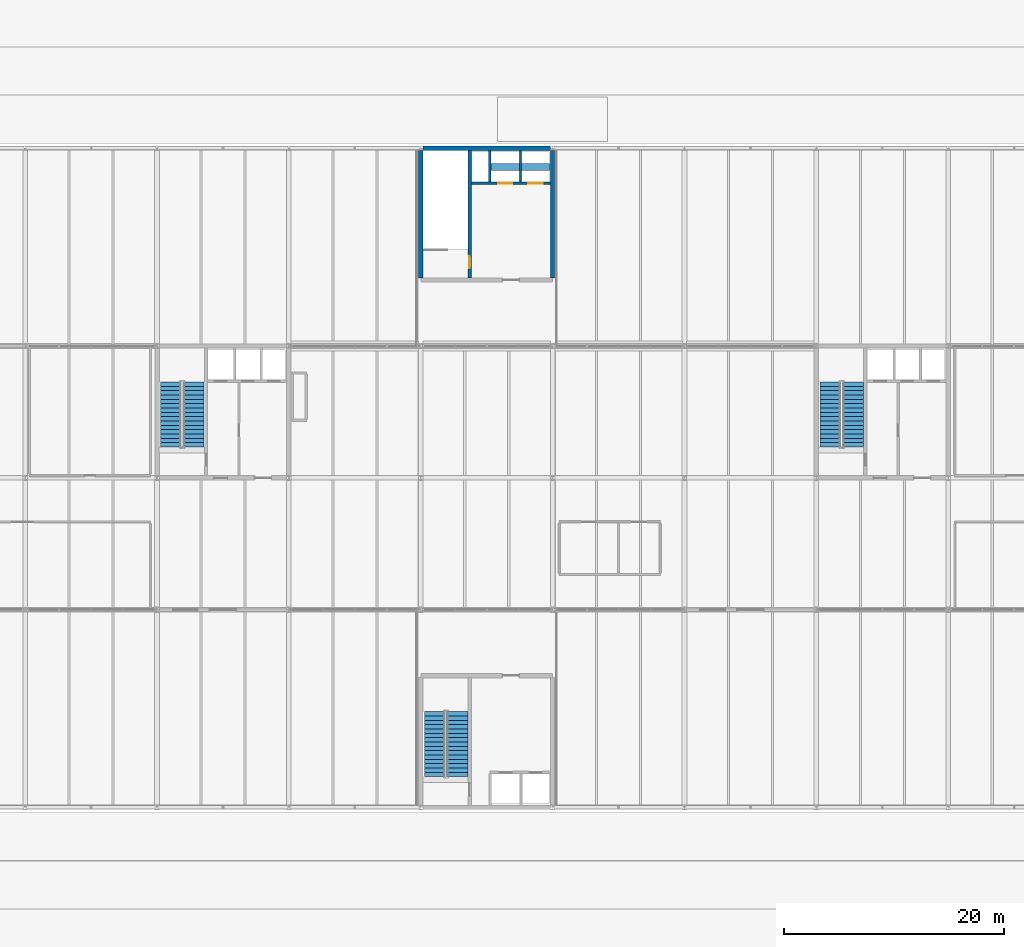
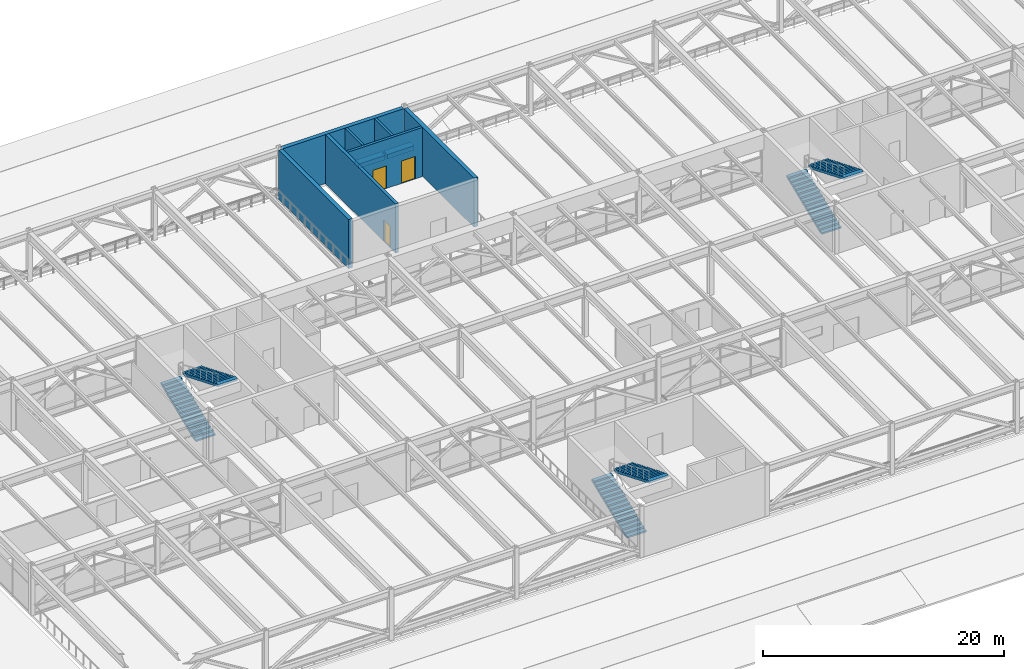
# One storey, part 37 of 42: 7 walls, 6 stair flights, 3 doors, 2 discrete accessories, 3 openings, 3 elements without a shape of their own.
"""IFC4 building model written with IfcOpenShell, lengths in metres."""

from ifc_helpers import new_model, si_unit, direction, frame, frame_2d, origin, origin_2d, place, context, subcontext, project, spatial, polyline, rectangle, outline, extrude, material, layer, layer_set, type_object, element, fill, aggregate, save


model = new_model("IFC4")

# Units and contexts
model_context = context("Model", 3, precision=1e-05, world=origin(), true_north=direction((0.0, 1.0)))
body_context = subcontext(model_context, "Body", "Model", "MODEL_VIEW")
ifc_project = project(units=[si_unit("LENGTHUNIT", "METRE"), si_unit("AREAUNIT", "SQUARE_METRE"), si_unit("VOLUMEUNIT", "CUBIC_METRE"), si_unit("PLANEANGLEUNIT", "RADIAN"), si_unit("MASSUNIT", "GRAM", prefix="KILO")], contexts=[model_context])

# Site, building, storey
site_placement = place(None, origin())
site = spatial("IfcSite", under=ifc_project, at=site_placement, CompositionType="ELEMENT")
building_placement = place(site_placement, origin())
building = spatial("IfcBuilding", under=site, at=building_placement, Name="Girod Span Mobility Hub", CompositionType="ELEMENT")
storey_placement = place(building_placement, frame((0.0, 0.0, 32.39990234375)))
storey = spatial("IfcBuildingStorey", under=building, at=storey_placement, Name="L08", CompositionType="ELEMENT", Elevation=32.39990234375)

# Walls
ifc_material_1 = material(Name="Concrete C40/50", Category="concrete")
ifc_layer_1 = layer(ifc_material_1, 0.3798828125)
ifc_layer_set_1 = layer_set([ifc_layer_1], Name="Concrete C40/50")
wall_type_1 = type_object("IfcWallType", Name="W-CW-380", PredefinedType="SHEAR", material=ifc_layer_set_1)
wall_1_placement = place(storey_placement, frame((72.196533203125, 87.0, 0.0), z_axis=(0.0, 0.0, 1.0), x_axis=(1.0, 0.0, 0.0)))
element("IfcWall", 1, at=wall_1_placement, inside=storey, type_object=wall_type_1, Name="Core C4 Shear Wall N L08", PredefinedType="SHEAR", context=body_context, shape_type="SweptSolid", body=[
    extrude(rectangle(XDim=11.60693359375, YDim=0.3798828125, at=frame_2d((5.803466796875, 0.0))), origin(), (0.0, 0.0, 1.0), 4.97314453125),
])
for number, where, z_axis, x_axis, name in (
    (2, (72.0, 75.18701171875, 0.0), (0.0, 0.0, 1.0), (0.0, 1.0, 0.0), "Core C4 Shear Wall W L08"),
    (3, (84.0, 75.18701171875, 0.0), (0.0, 0.0, 1.0), (0.0, 1.0, 0.0), "Core C4 Shear Wall E L08"),
):
    element("IfcWall", number, at=place(storey_placement, frame(where, z_axis=z_axis, x_axis=x_axis)), inside=storey, type_object=wall_type_1, Name=name, PredefinedType="SHEAR", context=body_context, shape_type="SweptSolid", body=[
        extrude(rectangle(XDim=11.619384765625, YDim=0.3798828125, at=frame_2d((5.8095703125, 0.0))), origin(), (0.0, 0.0, 1.0), 4.97314453125),
    ])
ifc_material_2 = material(Name="Concrete C40/50", Category="concrete")
ifc_layer_2 = layer(ifc_material_2, 0.199951171875)
ifc_layer_set_2 = layer_set([ifc_layer_2], Name="Concrete C40/50")
wall_type_2 = type_object("IfcWallType", Name="W-SH-200", PredefinedType="SOLIDWALL", material=ifc_layer_set_2)
for number, where, z_axis, x_axis, name in (
    (4, (78.280029296875, 83.919921875, 0.0), (0.0, 0.0, 1.0), (0.0, 1.0, 0.0), "Core C4 Shaft Divider 1 L08"),
    (5, (81.080078125, 83.919921875, 0.0), (0.0, 0.0, 1.0), (0.0, 1.0, 0.0), "Core C4 Shaft Divider 2 L08"),
):
    element("IfcWall", number, at=place(storey_placement, frame(where, z_axis=z_axis, x_axis=x_axis)), inside=storey, type_object=wall_type_2, Name=name, PredefinedType="SOLIDWALL", context=body_context, shape_type="SweptSolid", body=[
        extrude(rectangle(XDim=2.89013671875, YDim=0.199951171875, at=frame_2d((1.445068359375, 0.0))), origin(), (0.0, 0.0, 1.0), 4.963134765625),
    ])

# Wall, openings, doors
ifc_material_3 = material(Name="Concrete C40/50", Category="concrete")
ifc_layer_3 = layer(ifc_material_3, 0.25)
ifc_layer_set_3 = layer_set([ifc_layer_3], Name="Concrete C40/50")
wall_type_3 = type_object("IfcWallType", Name="W-SH-250", PredefinedType="SOLIDWALL", material=ifc_layer_set_3)
wall_2_placement = place(storey_placement, frame((76.596923828125, 83.800048828125, 0.0), z_axis=(0.0, 0.0, 1.0), x_axis=(1.0, 0.0, 0.0)))
wall_2 = element("IfcWall", 6, at=wall_2_placement, inside=storey, type_object=wall_type_3, Name="Core C4 Hoistway Front Wall L08", PredefinedType="SOLIDWALL", context=body_context, shape_type="SweptSolid", body=[
    extrude(rectangle(XDim=7.216064453125, YDim=0.25, at=frame_2d((3.60791015625, 0.0))), origin(), (0.0, 0.0, 1.0), 4.97314453125),
])
opening_1_placement = place(wall_2_placement, frame((2.43310546875, 0.0, 0.0)))
opening_1 = element("IfcOpeningElement", 7, at=opening_1_placement, cuts=wall_2, Name="Opening LD-LB-1-L08", PredefinedType="OPENING", context=body_context, shape_type="SweptSolid", body=[
    extrude(rectangle(XDim=1.300048828125, YDim=2.280029296875, at=frame_2d((0.64990234375, 1.14013671875))), frame((0.0, 0.139892578125, 0.0), z_axis=(0.0, -1.0, 0.0), x_axis=(1.0, 0.0, 0.0)), (0.0, 0.0, 1.0), 0.280029296875),
])
opening_2_placement = place(wall_2_placement, frame((5.202880859375, 0.0, 0.0)))
opening_2 = element("IfcOpeningElement", 8, at=opening_2_placement, cuts=wall_2, Name="Opening LD-LB-2-L08", PredefinedType="OPENING", context=body_context, shape_type="SweptSolid", body=[
    extrude(rectangle(XDim=1.300048828125, YDim=2.280029296875, at=frame_2d((0.64990234375, 1.14013671875))), frame((0.0, 0.139892578125, 0.0), z_axis=(0.0, -1.0, 0.0), x_axis=(1.0, 0.0, 0.0)), (0.0, 0.0, 1.0), 0.280029296875),
])
ifc_material_4 = material(Name="Brushed Stainless Steel Grade 304", Category="steel")
door_type_1 = type_object("IfcDoorType", Name="LD-LB-130", OperationType="SLIDING_TO_LEFT", PredefinedType="USERDEFINED", material=ifc_material_4)
door_1_placement = place(opening_1_placement, origin())
door_1 = element("IfcDoor", 9, at=door_1_placement, inside=storey, type_object=door_type_1, Name="Lift LB-1 Sliding Landing Door L08", ObjectType="LANDING DOOR", OperationType="SLIDING_TO_LEFT", OverallHeight=2.280029296875, OverallWidth=1.300048828125, PredefinedType="USERDEFINED", context=body_context, shape_type="SweptSolid", body=[
    extrude(rectangle(XDim=1.300048828125, YDim=2.280029296875, at=frame_2d((0.64990234375, 1.14013671875))), frame((0.0, 0.02490234375, 0.0), z_axis=(0.0, -1.0, 0.0), x_axis=(1.0, 0.0, 0.0)), (0.0, 0.0, 1.0), 0.050048828125),
])
fill(opening_1, door_1)
door_2_placement = place(opening_2_placement, origin())
door_2 = element("IfcDoor", 10, at=door_2_placement, inside=storey, type_object=door_type_1, Name="Lift LB-2 Sliding Landing Door L08", ObjectType="LANDING DOOR", OperationType="SLIDING_TO_LEFT", OverallHeight=2.280029296875, OverallWidth=1.300048828125, PredefinedType="USERDEFINED", context=body_context, shape_type="SweptSolid", body=[
    extrude(rectangle(XDim=1.300048828125, YDim=2.280029296875, at=frame_2d((0.64990234375, 1.14013671875))), frame((0.0, 0.02490234375, 0.0), z_axis=(0.0, -1.0, 0.0), x_axis=(1.0, 0.0, 0.0)), (0.0, 0.0, 1.0), 0.050048828125),
])
fill(opening_2, door_2)

# Wall, opening, door
ifc_material_5 = material(Name="Concrete C40/50", Category="concrete")
ifc_layer_4 = layer(ifc_material_5, 0.300048828125)
ifc_layer_set_4 = layer_set([ifc_layer_4], Name="Concrete C40/50")
wall_type_4 = type_object("IfcWallType", Name="W-SH-300", PredefinedType="SHEAR", material=ifc_layer_set_4)
wall_3_placement = place(storey_placement, frame((76.449951171875, 75.18701171875, 0.0), z_axis=(0.0, 0.0, 1.0), x_axis=(0.0, 1.0, 0.0)))
wall_3 = element("IfcWall", 11, at=wall_3_placement, inside=storey, type_object=wall_type_4, Name="Core C4 Stairwell Spine Wall L08", PredefinedType="SHEAR", context=body_context, shape_type="SweptSolid", body=[
    extrude(rectangle(XDim=11.6259765625, YDim=0.300048828125, at=frame_2d((5.81298828125, 0.0))), origin(), (0.0, 0.0, 1.0), 4.97314453125),
])
opening_3_placement = place(wall_3_placement, frame((0.89990234375, 0.0, 0.0)))
opening_3 = element("IfcOpeningElement", 12, at=opening_3_placement, cuts=wall_3, Name="Opening D-ST-4-L08", PredefinedType="OPENING", context=body_context, shape_type="SweptSolid", body=[
    extrude(rectangle(XDim=1.10009765625, YDim=2.199951171875, at=frame_2d((0.550048828125, 1.10009765625))), frame((0.0, 0.1650390625, 0.0), z_axis=(0.0, -1.0, 0.0), x_axis=(1.0, 0.0, 0.0)), (0.0, 0.0, 1.0), 0.330078125),
])
ifc_material_6 = material(Name="Fire-Rated Insulated Hollow Metal Steel", Category="steel")
door_type_2 = type_object("IfcDoorType", Name="DT-FD-01", OperationType="NOTDEFINED", PredefinedType="DOOR", material=ifc_material_6)
door_3_placement = place(opening_3_placement, origin())
door_3 = element("IfcDoor", 13, at=door_3_placement, inside=storey, type_object=door_type_2, Name="Stair ST-4 Fire Door L08", OperationType="SINGLE_SWING_LEFT", OverallHeight=2.199951171875, OverallWidth=1.10009765625, PredefinedType="DOOR", context=body_context, shape_type="SweptSolid", body=[
    extrude(rectangle(XDim=1.10009765625, YDim=2.199951171875, at=frame_2d((0.550048828125, 1.10009765625))), frame((0.0, 0.02490234375, 0.0), z_axis=(0.0, -1.0, 0.0), x_axis=(1.0, 0.0, 0.0)), (0.0, 0.0, 1.0), 0.050048828125),
])
fill(opening_3, door_3)

# Stair, stair flights
ifc_material_7 = material(Name="Concrete C40/50", Category="concrete")
stair_type = type_object("IfcStairType", Name="STR-5200-W1860", PredefinedType="HALF_TURN_STAIR", material=ifc_material_7)
stair_1_placement = place(storey_placement, origin())
stair_1 = element("IfcStair", 14, at=stair_1_placement, inside=storey, type_object=stair_type, Name="Exit Stair ST-1 L08", PredefinedType="HALF_TURN_STAIR")
ifc_material_8 = material(Name="Concrete C40/50", Category="concrete")
stair_flight_type = type_object("IfcStairFlightType", Name="STF-2600-W1860", PredefinedType="STRAIGHT", material=ifc_material_8)
stair_flight_1_placement = place(storey_placement, frame((49.25, 59.81005859375, 0.0), z_axis=(0.0, 0.0, 1.0), x_axis=(0.0, 1.0, 0.0)))
stair_flight_1 = element("IfcStairFlight", 15, at=stair_flight_1_placement, type_object=stair_flight_type, Name="Stair ST-1 Flight 1 L08", NumberOfRisers=16, NumberOfTreads=15, PredefinedType="STRAIGHT", RiserHeight=0.1625, TreadLength=0.39467, context=body_context, shape_type="SweptSolid", body=[
    extrude(outline(polyline([(0.0, 0.0), (0.0, 0.16259765625), (0.394775390625, 0.16259765625), (0.394775390625, 0.324951171875), (0.789306640625, 0.324951171875), (0.789306640625, 0.487548828125), (1.18408203125, 0.487548828125), (1.18408203125, 0.64990234375), (1.57861328125, 0.64990234375), (1.57861328125, 0.8125), (1.973388671875, 0.8125), (1.973388671875, 0.97509765625), (2.367919921875, 0.97509765625), (2.367919921875, 1.137451171875), (2.7626953125, 1.137451171875), (2.7626953125, 1.300048828125), (3.157470703125, 1.300048828125), (3.157470703125, 1.46240234375), (3.552001953125, 1.46240234375), (3.552001953125, 1.625), (3.94677734375, 1.625), (3.94677734375, 1.78759765625), (4.34130859375, 1.78759765625), (4.34130859375, 1.949951171875), (4.736083984375, 1.949951171875), (4.736083984375, 2.112548828125), (5.130615234375, 2.112548828125), (5.130615234375, 2.27490234375), (5.525390625, 2.27490234375), (5.525390625, 2.4375), (5.920166015625, 2.4375), (5.920166015625, 2.60009765625), (5.920166015625, 2.232177734375), (0.498779296875, 0.0), (0.0, 0.0)])), frame((0.0, 0.93017578125, 0.0), z_axis=(0.0, -1.0, 0.0), x_axis=(1.0, 0.0, 0.0)), (0.0, 0.0, 1.0), 1.860107421875),
])
stair_flight_2_placement = place(storey_placement, frame((51.35009765625, 65.72998046875, 2.60009765625), z_axis=(0.0, 0.0, 1.0), x_axis=(0.0, -1.0, 0.0)))
stair_flight_2 = element("IfcStairFlight", 16, at=stair_flight_2_placement, type_object=stair_flight_type, Name="Stair ST-1 Flight 2 L08", NumberOfRisers=16, NumberOfTreads=15, PredefinedType="STRAIGHT", RiserHeight=0.1625, TreadLength=0.39467, context=body_context, shape_type="SweptSolid", body=[
    extrude(outline(polyline([(0.0, 0.0), (0.0, 0.16259765625), (0.394775390625, 0.16259765625), (0.394775390625, 0.324951171875), (0.789306640625, 0.324951171875), (0.789306640625, 0.487548828125), (1.18408203125, 0.487548828125), (1.18408203125, 0.64990234375), (1.57861328125, 0.64990234375), (1.57861328125, 0.8125), (1.973388671875, 0.8125), (1.973388671875, 0.97509765625), (2.367919921875, 0.97509765625), (2.367919921875, 1.137451171875), (2.7626953125, 1.137451171875), (2.7626953125, 1.300048828125), (3.157470703125, 1.300048828125), (3.157470703125, 1.46240234375), (3.552001953125, 1.46240234375), (3.552001953125, 1.625), (3.94677734375, 1.625), (3.94677734375, 1.78759765625), (4.34130859375, 1.78759765625), (4.34130859375, 1.949951171875), (4.736083984375, 1.949951171875), (4.736083984375, 2.112548828125), (5.130615234375, 2.112548828125), (5.130615234375, 2.27490234375), (5.525390625, 2.27490234375), (5.525390625, 2.4375), (5.920166015625, 2.4375), (5.920166015625, 2.60009765625), (5.920166015625, 2.232177734375), (0.498779296875, 0.0), (0.0, 0.0)])), frame((0.0, 0.93017578125, 0.0), z_axis=(0.0, -1.0, 0.0), x_axis=(1.0, 0.0, 0.0)), (0.0, 0.0, 1.0), 1.860107421875),
])
aggregate(stair_1, [stair_flight_1, stair_flight_2])

stair_2_placement = place(storey_placement, origin())
stair_2 = element("IfcStair", 17, at=stair_2_placement, inside=storey, type_object=stair_type, Name="Exit Stair ST-2 L08", PredefinedType="HALF_TURN_STAIR")
stair_flight_3_placement = place(storey_placement, frame((109.25, 59.81005859375, 0.0), z_axis=(0.0, 0.0, 1.0), x_axis=(0.0, 1.0, 0.0)))
stair_flight_3 = element("IfcStairFlight", 18, at=stair_flight_3_placement, type_object=stair_flight_type, Name="Stair ST-2 Flight 1 L08", NumberOfRisers=16, NumberOfTreads=15, PredefinedType="STRAIGHT", RiserHeight=0.1625, TreadLength=0.39467, context=body_context, shape_type="SweptSolid", body=[
    extrude(outline(polyline([(0.0, 0.0), (0.0, 0.16259765625), (0.394775390625, 0.16259765625), (0.394775390625, 0.324951171875), (0.789306640625, 0.324951171875), (0.789306640625, 0.487548828125), (1.18408203125, 0.487548828125), (1.18408203125, 0.64990234375), (1.57861328125, 0.64990234375), (1.57861328125, 0.8125), (1.973388671875, 0.8125), (1.973388671875, 0.97509765625), (2.367919921875, 0.97509765625), (2.367919921875, 1.137451171875), (2.7626953125, 1.137451171875), (2.7626953125, 1.300048828125), (3.157470703125, 1.300048828125), (3.157470703125, 1.46240234375), (3.552001953125, 1.46240234375), (3.552001953125, 1.625), (3.94677734375, 1.625), (3.94677734375, 1.78759765625), (4.34130859375, 1.78759765625), (4.34130859375, 1.949951171875), (4.736083984375, 1.949951171875), (4.736083984375, 2.112548828125), (5.130615234375, 2.112548828125), (5.130615234375, 2.27490234375), (5.525390625, 2.27490234375), (5.525390625, 2.4375), (5.920166015625, 2.4375), (5.920166015625, 2.60009765625), (5.920166015625, 2.232177734375), (0.498779296875, 0.0), (0.0, 0.0)])), frame((0.0, 0.93017578125, 0.0), z_axis=(0.0, -1.0, 0.0), x_axis=(1.0, 0.0, 0.0)), (0.0, 0.0, 1.0), 1.860107421875),
])
stair_flight_4_placement = place(storey_placement, frame((111.35009765625, 65.72998046875, 2.60009765625), z_axis=(0.0, 0.0, 1.0), x_axis=(0.0, -1.0, 0.0)))
stair_flight_4 = element("IfcStairFlight", 19, at=stair_flight_4_placement, type_object=stair_flight_type, Name="Stair ST-2 Flight 2 L08", NumberOfRisers=16, NumberOfTreads=15, PredefinedType="STRAIGHT", RiserHeight=0.1625, TreadLength=0.39467, context=body_context, shape_type="SweptSolid", body=[
    extrude(outline(polyline([(0.0, 0.0), (0.0, 0.16259765625), (0.394775390625, 0.16259765625), (0.394775390625, 0.324951171875), (0.789306640625, 0.324951171875), (0.789306640625, 0.487548828125), (1.18408203125, 0.487548828125), (1.18408203125, 0.64990234375), (1.57861328125, 0.64990234375), (1.57861328125, 0.8125), (1.973388671875, 0.8125), (1.973388671875, 0.97509765625), (2.367919921875, 0.97509765625), (2.367919921875, 1.137451171875), (2.7626953125, 1.137451171875), (2.7626953125, 1.300048828125), (3.157470703125, 1.300048828125), (3.157470703125, 1.46240234375), (3.552001953125, 1.46240234375), (3.552001953125, 1.625), (3.94677734375, 1.625), (3.94677734375, 1.78759765625), (4.34130859375, 1.78759765625), (4.34130859375, 1.949951171875), (4.736083984375, 1.949951171875), (4.736083984375, 2.112548828125), (5.130615234375, 2.112548828125), (5.130615234375, 2.27490234375), (5.525390625, 2.27490234375), (5.525390625, 2.4375), (5.920166015625, 2.4375), (5.920166015625, 2.60009765625), (5.920166015625, 2.232177734375), (0.498779296875, 0.0), (0.0, 0.0)])), frame((0.0, 0.93017578125, 0.0), z_axis=(0.0, -1.0, 0.0), x_axis=(1.0, 0.0, 0.0)), (0.0, 0.0, 1.0), 1.860107421875),
])
aggregate(stair_2, [stair_flight_3, stair_flight_4])

stair_3_placement = place(storey_placement, origin())
stair_3 = element("IfcStair", 20, at=stair_3_placement, inside=storey, type_object=stair_type, Name="Exit Stair ST-3 L08", PredefinedType="HALF_TURN_STAIR")
stair_flight_5_placement = place(storey_placement, frame((73.25, 29.81005859375, 0.0), z_axis=(0.0, 0.0, 1.0), x_axis=(0.0, 1.0, 0.0)))
stair_flight_5 = element("IfcStairFlight", 21, at=stair_flight_5_placement, type_object=stair_flight_type, Name="Stair ST-3 Flight 1 L08", NumberOfRisers=16, NumberOfTreads=15, PredefinedType="STRAIGHT", RiserHeight=0.1625, TreadLength=0.39467, context=body_context, shape_type="SweptSolid", body=[
    extrude(outline(polyline([(0.0, 0.0), (0.0, 0.16259765625), (0.394775390625, 0.16259765625), (0.394775390625, 0.324951171875), (0.789306640625, 0.324951171875), (0.789306640625, 0.487548828125), (1.18408203125, 0.487548828125), (1.18408203125, 0.64990234375), (1.57861328125, 0.64990234375), (1.57861328125, 0.8125), (1.973388671875, 0.8125), (1.973388671875, 0.97509765625), (2.367919921875, 0.97509765625), (2.367919921875, 1.137451171875), (2.7626953125, 1.137451171875), (2.7626953125, 1.300048828125), (3.157470703125, 1.300048828125), (3.157470703125, 1.46240234375), (3.552001953125, 1.46240234375), (3.552001953125, 1.625), (3.94677734375, 1.625), (3.94677734375, 1.78759765625), (4.34130859375, 1.78759765625), (4.34130859375, 1.949951171875), (4.736083984375, 1.949951171875), (4.736083984375, 2.112548828125), (5.130615234375, 2.112548828125), (5.130615234375, 2.27490234375), (5.525390625, 2.27490234375), (5.525390625, 2.4375), (5.920166015625, 2.4375), (5.920166015625, 2.60009765625), (5.920166015625, 2.232177734375), (0.498779296875, 0.0), (0.0, 0.0)])), frame((0.0, 0.93017578125, 0.0), z_axis=(0.0, -1.0, 0.0), x_axis=(1.0, 0.0, 0.0)), (0.0, 0.0, 1.0), 1.860107421875),
])
stair_flight_6_placement = place(storey_placement, frame((75.35009765625, 35.72998046875, 2.60009765625), z_axis=(0.0, 0.0, 1.0), x_axis=(0.0, -1.0, 0.0)))
stair_flight_6 = element("IfcStairFlight", 22, at=stair_flight_6_placement, type_object=stair_flight_type, Name="Stair ST-3 Flight 2 L08", NumberOfRisers=16, NumberOfTreads=15, PredefinedType="STRAIGHT", RiserHeight=0.1625, TreadLength=0.39467, context=body_context, shape_type="SweptSolid", body=[
    extrude(outline(polyline([(0.0, 0.0), (0.0, 0.16259765625), (0.394775390625, 0.16259765625), (0.394775390625, 0.324951171875), (0.789306640625, 0.324951171875), (0.789306640625, 0.487548828125), (1.18408203125, 0.487548828125), (1.18408203125, 0.64990234375), (1.57861328125, 0.64990234375), (1.57861328125, 0.8125), (1.973388671875, 0.8125), (1.973388671875, 0.97509765625), (2.367919921875, 0.97509765625), (2.367919921875, 1.137451171875), (2.7626953125, 1.137451171875), (2.7626953125, 1.300048828125), (3.157470703125, 1.300048828125), (3.157470703125, 1.46240234375), (3.552001953125, 1.46240234375), (3.552001953125, 1.625), (3.94677734375, 1.625), (3.94677734375, 1.78759765625), (4.34130859375, 1.78759765625), (4.34130859375, 1.949951171875), (4.736083984375, 1.949951171875), (4.736083984375, 2.112548828125), (5.130615234375, 2.112548828125), (5.130615234375, 2.27490234375), (5.525390625, 2.27490234375), (5.525390625, 2.4375), (5.920166015625, 2.4375), (5.920166015625, 2.60009765625), (5.920166015625, 2.232177734375), (0.498779296875, 0.0), (0.0, 0.0)])), frame((0.0, 0.93017578125, 0.0), z_axis=(0.0, -1.0, 0.0), x_axis=(1.0, 0.0, 0.0)), (0.0, 0.0, 1.0), 1.860107421875),
])
aggregate(stair_3, [stair_flight_5, stair_flight_6])

# Discrete accessories
ifc_material_9 = material(Name="Steel A992 Grade 50", Category="steel")
discrete_accessory_type = type_object("IfcDiscreteAccessoryType", Name="ACC-LFT-MACH", PredefinedType="USERDEFINED", material=ifc_material_9)
for number, where, z_axis, x_axis, name in (
    (23, (79.679931640625, 85.300048828125, 1.89990234375), (0.0, 0.0, 1.0), (1.0, 0.0, 0.0), "Hoistway Traction Machine LB-1"),
    (24, (82.449951171875, 85.300048828125, 1.89990234375), (0.0, 0.0, 1.0), (1.0, 0.0, 0.0), "Hoistway Traction Machine LB-2"),
):
    element("IfcDiscreteAccessory", number, at=place(storey_placement, frame(where, z_axis=z_axis, x_axis=x_axis)), inside=storey, type_object=discrete_accessory_type, Name=name, ObjectType="TRACTION MACHINE", PredefinedType="USERDEFINED", context=body_context, shape_type="SweptSolid", body=[
        extrude(rectangle(XDim=2.56005859375, YDim=0.64990234375, at=origin_2d()), origin(), (0.0, 0.0, 1.0), 0.449951171875),
    ])

save(model, "model.ifc")
